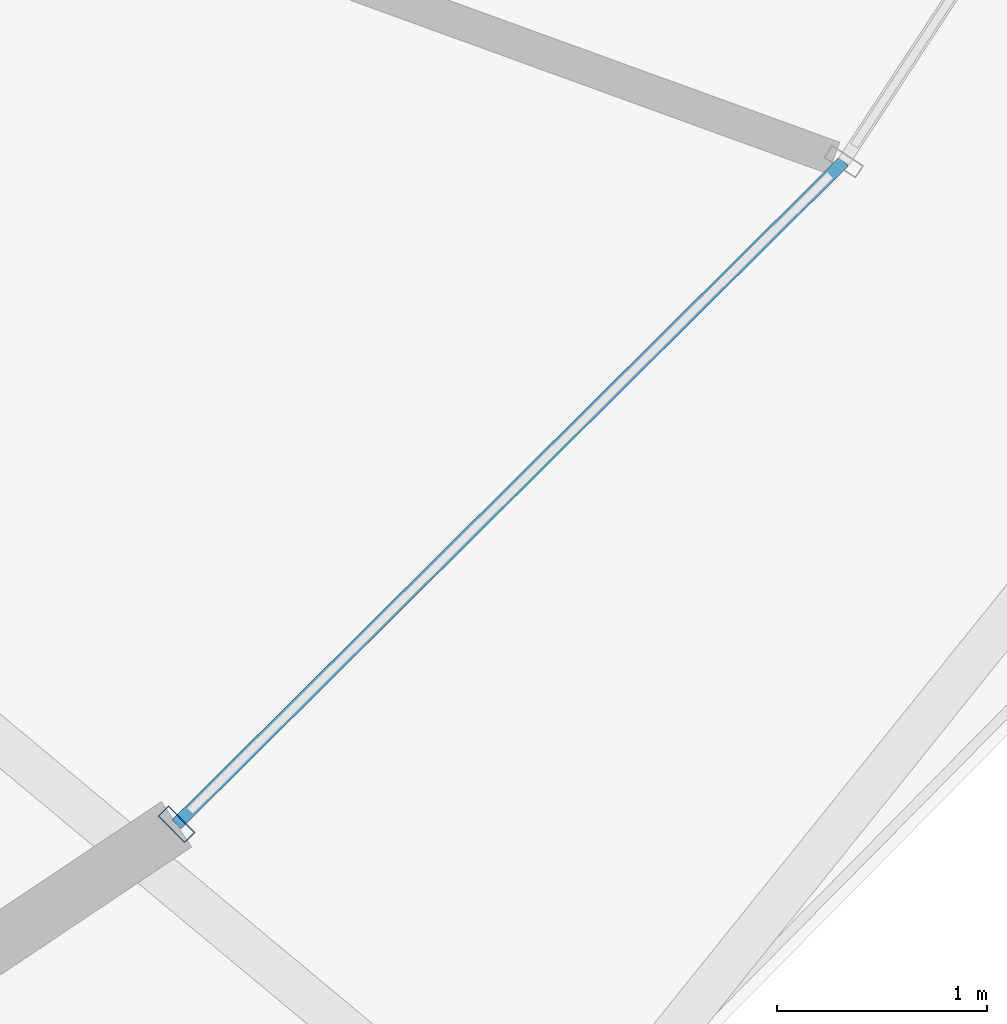
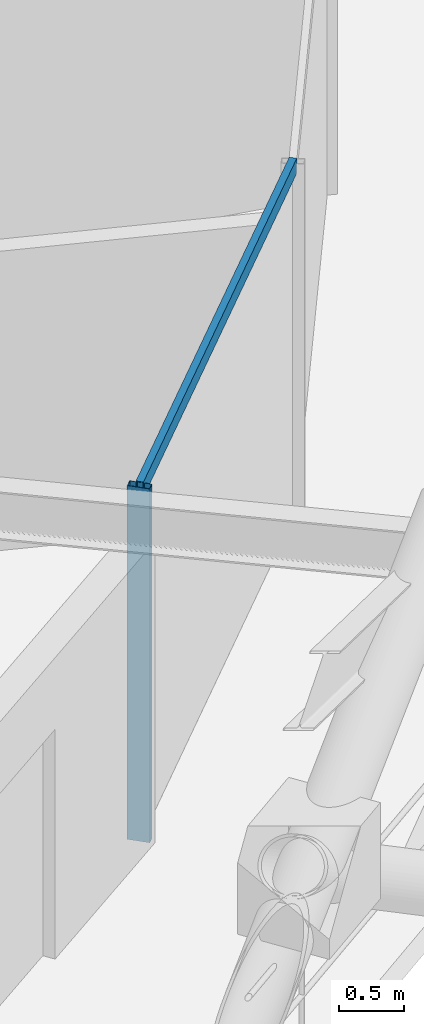
# One storey, part 7 of 19: 2 members, 1 element without a shape of its own.
"""IFC4 building model written with IfcOpenShell, lengths in metres."""

import ifcopenshell
import ifcopenshell.guid

model = None  # the IFC model being written
_history = None  # IfcOwnerHistory: only IFC2X3 demands one
_inside = {}  # id of a spatial element -> (the spatial element, [elements in it])
_under = {}  # id of a project, library or spatial element -> (it, [spatial elements below it])
_declared = {}  # id of a project -> (the project, [libraries it declares])
_typed = {}  # id of a type object -> (the type object, [elements of that type])
_made_of = {}  # id of a material, layer set ... -> (it, [elements and type objects made of it])


def new_model(schema):
    """Start an empty IFC model of exactly this schema.

    Asked for "IFC4X3", IfcOpenShell would pick the latest addendum, in which some entities
    have other attributes; the version numbers below select the first issue.
    IFC2X3 requires an IfcOwnerHistory on every rooted entity: one is made here for all.
    """
    global model, _history
    if schema == "IFC4X3":
        model = ifcopenshell.file(schema_version=(4, 3, 0, 0))
    else:
        model = ifcopenshell.file(schema=schema)
    _inside.clear()
    _under.clear()
    _declared.clear()
    _typed.clear()
    _made_of.clear()
    _history = None
    if model.schema == "IFC2X3":
        org = make("IfcOrganization", Name="unknown")
        user = make(
            "IfcPersonAndOrganization",
            ThePerson=make("IfcPerson", FamilyName="unknown"),
            TheOrganization=org,
        )
        app = make(
            "IfcApplication",
            ApplicationDeveloper=org,
            Version="unknown",
            ApplicationFullName="unknown",
            ApplicationIdentifier="unknown",
        )
        _history = make(
            "IfcOwnerHistory",
            OwningUser=user,
            OwningApplication=app,
            ChangeAction="ADDED",
            CreationDate=0,
        )
    return model


def make(cls, **values):
    """One entity of the class cls with the attributes given. An attribute that is None is left unset."""
    return model.create_entity(
        cls, **{name: value for name, value in values.items() if value is not None}
    )


def rooted(cls, **values):
    """An entity with a GlobalId (a new one), such as an element, a storey or a relation."""
    return make(cls, GlobalId=ifcopenshell.guid.new(), OwnerHistory=_history, **values)


def si_unit(unit_type, name, prefix=None):
    """IfcSIUnit, for example si_unit("LENGTHUNIT", "METRE", prefix="MILLI")."""
    return make("IfcSIUnit", UnitType=unit_type, Prefix=prefix, Name=name)


def assignment(units):
    """IfcUnitAssignment: the units of a project."""
    return None if units is None else make("IfcUnitAssignment", Units=units)


def point(xyz):
    """IfcCartesianPoint."""
    return None if xyz is None else make("IfcCartesianPoint", Coordinates=xyz)


def direction(xyz):
    """IfcDirection."""
    return None if xyz is None else make("IfcDirection", DirectionRatios=xyz)


def frame(location, z_axis=None, x_axis=None):
    """IfcAxis2Placement3D, a coordinate frame: its origin and axes. An axis left out is left unset."""
    return make(
        "IfcAxis2Placement3D",
        Location=point(location),
        Axis=direction(z_axis),
        RefDirection=direction(x_axis),
    )


def frame_2d(location, x_axis=None):
    """IfcAxis2Placement2D, a coordinate frame in the plane: its origin and x axis."""
    return make(
        "IfcAxis2Placement2D", Location=point(location), RefDirection=direction(x_axis)
    )


def origin():
    """The frame at (0, 0, 0) with its axes left unset."""
    return frame((0.0, 0.0, 0.0))


def origin_2d():
    """The frame at (0, 0) in the plane with its x axis left unset."""
    return frame_2d((0.0, 0.0))


def place(relative_to, where):
    """IfcLocalPlacement: puts the frame where relative to a parent placement (None: the world)."""
    return make(
        "IfcLocalPlacement", PlacementRelTo=relative_to, RelativePlacement=where
    )


def context(
    kind, dimensions, precision=None, world=None, true_north=None, identifier=None
):
    """IfcGeometricRepresentationContext, for example the 3D "Model" context."""
    return make(
        "IfcGeometricRepresentationContext",
        ContextIdentifier=identifier,
        ContextType=kind,
        CoordinateSpaceDimension=dimensions,
        Precision=precision,
        WorldCoordinateSystem=world,
        TrueNorth=true_north,
    )


def subcontext(parent, identifier, kind, view, scale=None):
    """IfcGeometricRepresentationSubContext, for example "Body" below "Model"."""
    return make(
        "IfcGeometricRepresentationSubContext",
        ContextIdentifier=identifier,
        ContextType=kind,
        ParentContext=parent,
        TargetScale=scale,
        TargetView=view,
    )


def project(units=None, contexts=None):
    """IfcProject with its units and contexts."""
    return rooted(
        "IfcProject",
        Name="project",
        RepresentationContexts=contexts,
        UnitsInContext=assignment(units),
    )


def spatial(cls, under=None, at=None, **own):
    """A site, building, storey or space (cls), placed at a placement, below another one or the project."""
    s = rooted(cls, ObjectPlacement=at, **own)
    if under is not None:
        _under.setdefault(under.id(), (under, []))[1].append(s)
    return s


def profile(cls, at=None, kind="AREA", **sizes):
    """A parametric profile (cls). Its sizes go by their IFC names, for example OverallWidth=200.0."""
    return make(cls, ProfileType=kind, Position=at, **sizes)


def hollow_rectangle(**sizes):
    """IfcRectangleHollowProfileDef."""
    return profile("IfcRectangleHollowProfileDef", **sizes)


def extrude(swept, where, along, depth):
    """IfcExtrudedAreaSolid: the profile swept, set in the frame where, extruded along a direction by depth."""
    return make(
        "IfcExtrudedAreaSolid",
        SweptArea=swept,
        Position=where,
        ExtrudedDirection=direction(along),
        Depth=depth,
    )


def shape(context_of_items, identifier, shape_type, items):
    """IfcShapeRepresentation: the items that make up one representation, for example the "Body"."""
    return make(
        "IfcShapeRepresentation",
        ContextOfItems=context_of_items,
        RepresentationIdentifier=identifier,
        RepresentationType=shape_type,
        Items=items,
    )


def material(Name=None, Category=None):
    """IfcMaterial."""
    return make("IfcMaterial", Name=Name, Category=Category)


def layer(
    of_material, thickness, ventilated=None, Name=None, Category=None, Priority=None
):
    """IfcMaterialLayer: one layer of a wall or slab, of a material (None: an air gap)."""
    return make(
        "IfcMaterialLayer",
        Material=of_material,
        LayerThickness=thickness,
        IsVentilated=ventilated,
        Name=Name,
        Category=Category,
        Priority=Priority,
    )


def layer_set(layers, Name=None):
    """IfcMaterialLayerSet."""
    return make("IfcMaterialLayerSet", MaterialLayers=layers, LayerSetName=Name)


def material_profile(
    of_material, cross_section, Name=None, Category=None, Priority=None
):
    """IfcMaterialProfile: a cross section and its material."""
    return make(
        "IfcMaterialProfile",
        Name=Name,
        Material=of_material,
        Profile=cross_section,
        Priority=Priority,
        Category=Category,
    )


def profile_set(profiles, Name=None, composite=None):
    """IfcMaterialProfileSet."""
    return make(
        "IfcMaterialProfileSet",
        Name=Name,
        MaterialProfiles=profiles,
        CompositeProfile=composite,
    )


def made_of(thing, what):
    """Note that an element or type object is made of a material, layer set ...; save() writes the relation."""
    if what is not None:
        _made_of.setdefault(what.id(), (what, []))[1].append(thing)
    return thing


def type_object(cls, material=None, **own):
    """A type object (cls), such as IfcWallType, which elements share."""
    return made_of(rooted(cls, **own), material)


def element(
    cls,
    number,
    at=None,
    inside=None,
    cuts=None,
    type_object=None,
    material=None,
    context=None,
    identifier="Body",
    shape_type=None,
    held_by="IfcProductDefinitionShape",
    body=None,
    shapes=None,
    **own,
):
    """One element of the class cls, such as IfcWall. Its Tag is "e" and its number.

    at: its placement. inside: the storey or other place that contains it. cuts: it is an
    opening in that element (IfcRelVoidsElement). A single representation is given by context,
    identifier, shape_type and body (its items); several are given by shapes. held_by: the class
    of the entity that holds the representations. save() writes the other relations.
    """
    e = rooted(cls, Tag="e%d" % number, ObjectPlacement=at, **own)
    if body is not None:
        shapes = [shape(context, identifier, shape_type, body)]
    if shapes is not None:
        e.Representation = make(held_by, Representations=shapes)
    if inside is not None:
        _inside.setdefault(inside.id(), (inside, []))[1].append(e)
    if cuts is not None:
        rooted(
            "IfcRelVoidsElement", RelatingBuildingElement=cuts, RelatedOpeningElement=e
        )
    if type_object is not None:
        _typed.setdefault(type_object.id(), (type_object, []))[1].append(e)
    return made_of(e, material)


def aggregate(whole, parts):
    """IfcRelAggregates: a whole, such as a stair, and the parts it consists of."""
    return rooted("IfcRelAggregates", RelatingObject=whole, RelatedObjects=parts)


def save(model, path):
    """Write the relations noted so far, then the file.

    IfcRelAggregates (storeys below a building ...), IfcRelContainedInSpatialStructure (elements
    in a storey), IfcRelDefinesByType, IfcRelAssociatesMaterial and IfcRelDeclares: one each for
    every whole, place, type object, material and project.
    """
    for whole, parts in _under.values():
        aggregate(whole, parts)
    for where, things in _inside.values():
        rooted(
            "IfcRelContainedInSpatialStructure",
            RelatedElements=things,
            RelatingStructure=where,
        )
    for kind, things in _typed.values():
        rooted("IfcRelDefinesByType", RelatedObjects=things, RelatingType=kind)
    for what, things in _made_of.values():
        rooted("IfcRelAssociatesMaterial", RelatedObjects=things, RelatingMaterial=what)
    for by, libraries in _declared.values():
        rooted("IfcRelDeclares", RelatingContext=by, RelatedDefinitions=libraries)
    model.write(path)


model = new_model("IFC4")

# Units and contexts
model_context = context("Model", 3, precision=1e-05, world=origin(), true_north=direction((0.0, 1.0)))
body_context = subcontext(model_context, "Body", "Model", "MODEL_VIEW")
ifc_project = project(units=[si_unit("LENGTHUNIT", "METRE"), si_unit("AREAUNIT", "SQUARE_METRE"), si_unit("VOLUMEUNIT", "CUBIC_METRE"), si_unit("PLANEANGLEUNIT", "RADIAN"), si_unit("MASSUNIT", "GRAM", prefix="KILO")], contexts=[model_context])

# Site, building, storey
site_placement = place(None, origin())
site = spatial("IfcSite", under=ifc_project, at=site_placement, CompositionType="ELEMENT")
building_placement = place(site_placement, origin())
building = spatial("IfcBuilding", under=site, at=building_placement, Name="Veldorina Hangang Commons", CompositionType="ELEMENT")
storey_placement = place(building_placement, frame((0.0, 0.0, 167.60009765625)))
storey = spatial("IfcBuildingStorey", under=building, at=storey_placement, Name="L43", CompositionType="ELEMENT", Elevation=167.60009765625)

# Curtain wall, members
ifc_material_1 = material(Name="Glass Low-E Triple IGU", Category="glass")
ifc_layer = layer(ifc_material_1, 0.179931640625)
ifc_layer_set = layer_set([ifc_layer], Name="Glass Low-E Triple IGU")
curtain_wall_type = type_object("IfcCurtainWallType", Name="CW-SYS-Z2", PredefinedType="NOTDEFINED", material=ifc_layer_set)
curtain_wall_placement = place(storey_placement, origin())
curtain_wall = element("IfcCurtainWall", 1, at=curtain_wall_placement, inside=storey, type_object=curtain_wall_type, Name="L43 unitised curtain wall CW-L43-R2", PredefinedType="NOTDEFINED")
ifc_material_2 = material(Name="Aluminium Anodized AA6063-T6", Category="aluminium")
ifc_material_profile_1 = material_profile(ifc_material_2, hollow_rectangle(XDim=0.070068359375, YDim=0.179931640625, WallThickness=0.00390625, at=origin_2d()), Name="ALU-RHS-180x70x4")
ifc_profile_set_1 = profile_set([ifc_material_profile_1], Name="Aluminium Anodized AA6063-T6")
member_type_1 = type_object("IfcMemberType", Name="CW-MUL-180", PredefinedType="MULLION", material=ifc_profile_set_1)
member_1_placement = place(storey_placement, frame((50.08447265625, 9.25927734375, 0.0), z_axis=(0.0, 0.0, 1.0), x_axis=(0.7095092429, 0.704696129009, 0.0)))
member_1 = element("IfcMember", 2, at=member_1_placement, type_object=member_type_1, Name="CW-L43-R2 vertical mullion 1", PredefinedType="MULLION", context=body_context, shape_type="SweptSolid", body=[
    extrude(hollow_rectangle(XDim=0.070068359375, YDim=0.179931640625, WallThickness=0.00390625, at=origin_2d()), origin(), (0.0, 0.0, 1.0), 3.309814453125),
])
ifc_material_profile_2 = material_profile(ifc_material_2, hollow_rectangle(XDim=0.06005859375, YDim=0.139892578125, WallThickness=0.00341796875, at=origin_2d()), Name="ALU-RHS-140x60x3.5")
ifc_profile_set_2 = profile_set([ifc_material_profile_2], Name="Aluminium Anodized AA6063-T6")
member_type_2 = type_object("IfcMemberType", Name="CW-TRN-140", PredefinedType="USERDEFINED", material=ifc_profile_set_2)
member_2_placement = place(storey_placement, frame((50.08447265625, 9.25927734375, 3.27001953125), z_axis=(0.70949912494, 0.704706315928, 0.0), x_axis=(-0.704706315928, 0.70949912494, 0.0)))
member_2 = element("IfcMember", 3, at=member_2_placement, type_object=member_type_2, Name="CW-L43-R2 facet 1 transom 1", ObjectType="TRANSOM", PredefinedType="USERDEFINED", context=body_context, shape_type="SweptSolid", body=[
    extrude(hollow_rectangle(XDim=0.06005859375, YDim=0.139892578125, WallThickness=0.00341796875, at=origin_2d()), origin(), (0.0, 0.0, 1.0), 4.482666015625),
])
aggregate(curtain_wall, [member_1, member_2])

save(model, "model.ifc")
